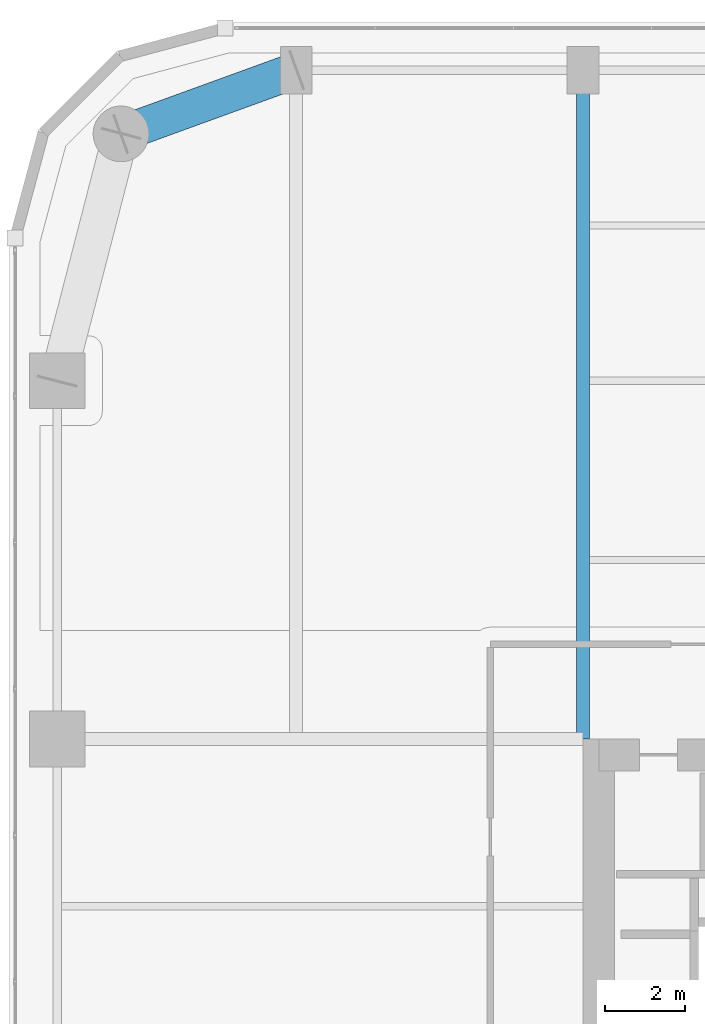
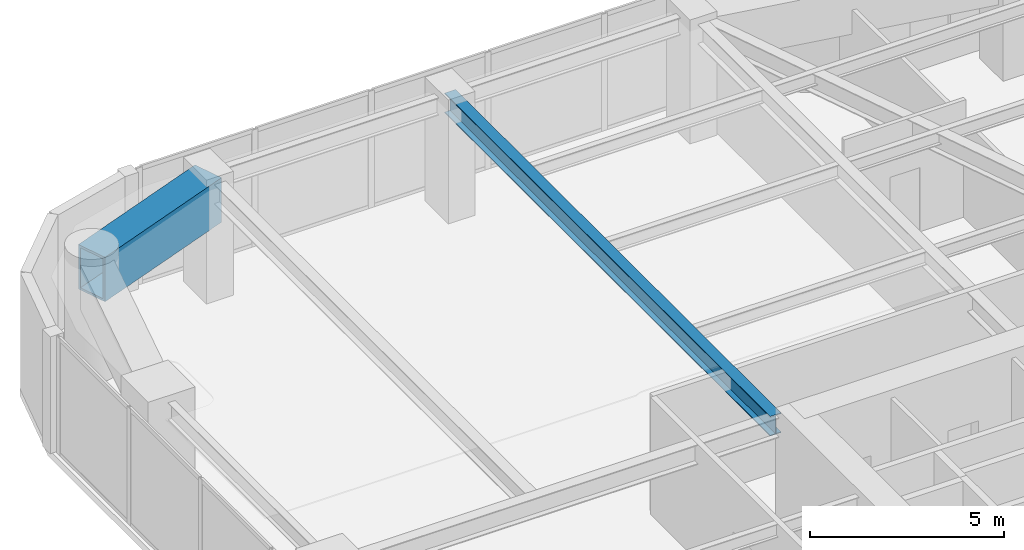
# One storey, part 16 of 30: 2 beams.
"""IFC4 building model written with IfcOpenShell, lengths in metres."""

from ifc_helpers import new_model, si_unit, direction, frame, origin, origin_2d, place, context, subcontext, project, spatial, hollow_rectangle, i_section, extrude, material, material_profile, profile_set, type_object, element, save


model = new_model("IFC4")

# Units and contexts
model_context = context("Model", 3, precision=1e-05, world=origin(), true_north=direction((0.0, 1.0)))
body_context = subcontext(model_context, "Body", "Model", "MODEL_VIEW")
ifc_project = project(units=[si_unit("LENGTHUNIT", "METRE"), si_unit("AREAUNIT", "SQUARE_METRE"), si_unit("VOLUMEUNIT", "CUBIC_METRE"), si_unit("PLANEANGLEUNIT", "RADIAN"), si_unit("MASSUNIT", "GRAM", prefix="KILO")], contexts=[model_context])

# Site, building, storey
site_placement = place(None, origin())
site = spatial("IfcSite", under=ifc_project, at=site_placement, CompositionType="ELEMENT")
building_placement = place(site_placement, origin())
building = spatial("IfcBuilding", under=site, at=building_placement, Name="Kiyonajd Concourse Tower", CompositionType="ELEMENT")
storey_placement = place(building_placement, frame((0.0, 0.0, 154.5)))
storey = spatial("IfcBuildingStorey", under=building, at=storey_placement, Name="L39", CompositionType="ELEMENT", Elevation=154.5)

# Beams
ifc_material_1 = material(Name="Steel ASTM A992 Grade 50", Category="steel")
ifc_material_profile_1 = material_profile(ifc_material_1, i_section(OverallWidth=0.326904296875, OverallDepth=0.6220703125, WebThickness=0.015380859375, FlangeThickness=0.0244140625, at=origin_2d()), Name="W610X195")
ifc_profile_set_1 = profile_set([ifc_material_profile_1], Name="Steel ASTM A992 Grade 50")
beam_type_1 = type_object("IfcBeamType", Name="BM-TWR-610A", PredefinedType="BEAM", material=ifc_profile_set_1)
beam_1_placement = place(storey_placement, frame((32.39990234375, 44.39990234375, 3.368896484375), z_axis=(0.0, 1.0, 0.0), x_axis=(-1.0, 0.0, 0.0)))
element("IfcBeam", 1, at=beam_1_placement, inside=storey, type_object=beam_type_1, Name="L39 North Lease Girder", PredefinedType="BEAM", context=body_context, shape_type="SweptSolid", body=[
    extrude(i_section(OverallWidth=0.326904296875, OverallDepth=0.6220703125, WebThickness=0.015380859375, FlangeThickness=0.0244140625, at=origin_2d()), origin(), (0.0, 0.0, 1.0), 16.800048828125),
])
ifc_material_2 = material(Name="Steel ASTM A572 Grade 50", Category="steel")
ifc_material_profile_2 = material_profile(ifc_material_2, hollow_rectangle(XDim=0.89990234375, YDim=1.39990234375, WallThickness=0.070068359375, at=origin_2d()), Name="BOX-1400x900x70")
ifc_profile_set_2 = profile_set([ifc_material_profile_2], Name="Steel ASTM A572 Grade 50")
beam_type_2 = type_object("IfcBeamType", Name="BM-XFER-1400", PredefinedType="BEAM", material=ifc_profile_set_2)
beam_2_placement = place(storey_placement, frame((25.199951171875, 61.199951171875, 2.97998046875), z_axis=(-0.939801036019, -0.341722127901, 0.0), x_axis=(0.341722127901, -0.939801036019, 0.0)))
element("IfcBeam", 2, at=beam_2_placement, inside=storey, type_object=beam_type_2, Name="L39 Perimeter Bundled Tube Spandrel", PredefinedType="BEAM", context=body_context, shape_type="SweptSolid", body=[
    extrude(hollow_rectangle(XDim=0.89990234375, YDim=1.39990234375, WallThickness=0.070068359375, at=origin_2d()), origin(), (0.0, 0.0, 1.0), 4.681640625),
])

save(model, "model.ifc")
